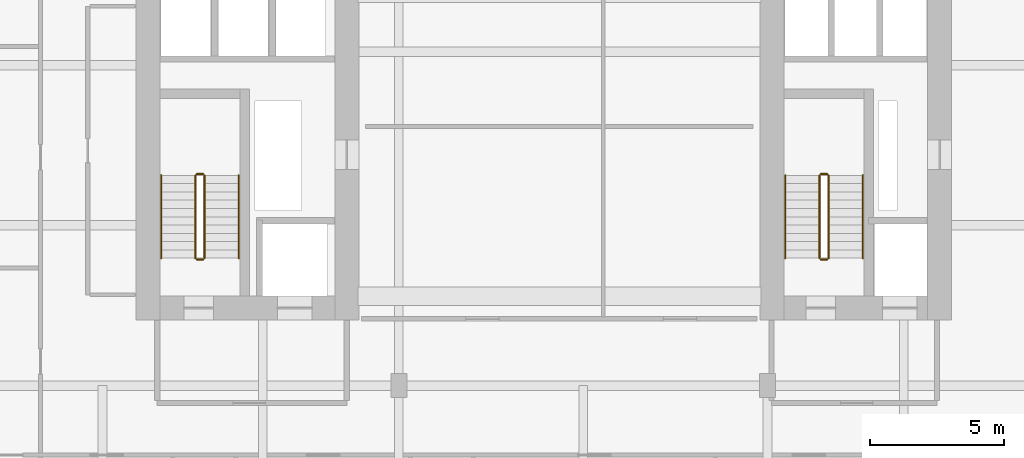
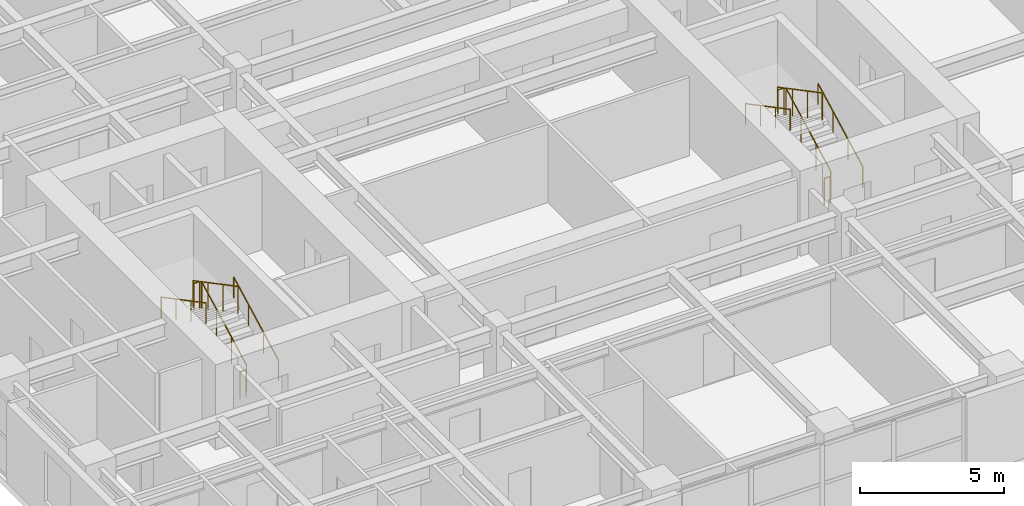
# One storey, part 24 of 24: 12 railings.
"""IFC4 building model written with IfcOpenShell, lengths in metres."""

import ifcopenshell
import ifcopenshell.guid

model = None  # the IFC model being written
_history = None  # IfcOwnerHistory: only IFC2X3 demands one
_inside = {}  # id of a spatial element -> (the spatial element, [elements in it])
_under = {}  # id of a project, library or spatial element -> (it, [spatial elements below it])
_declared = {}  # id of a project -> (the project, [libraries it declares])
_typed = {}  # id of a type object -> (the type object, [elements of that type])
_made_of = {}  # id of a material, layer set ... -> (it, [elements and type objects made of it])


def new_model(schema):
    """Start an empty IFC model of exactly this schema.

    Asked for "IFC4X3", IfcOpenShell would pick the latest addendum, in which some entities
    have other attributes; the version numbers below select the first issue.
    IFC2X3 requires an IfcOwnerHistory on every rooted entity: one is made here for all.
    """
    global model, _history
    if schema == "IFC4X3":
        model = ifcopenshell.file(schema_version=(4, 3, 0, 0))
    else:
        model = ifcopenshell.file(schema=schema)
    _inside.clear()
    _under.clear()
    _declared.clear()
    _typed.clear()
    _made_of.clear()
    _history = None
    if model.schema == "IFC2X3":
        org = make("IfcOrganization", Name="unknown")
        user = make(
            "IfcPersonAndOrganization",
            ThePerson=make("IfcPerson", FamilyName="unknown"),
            TheOrganization=org,
        )
        app = make(
            "IfcApplication",
            ApplicationDeveloper=org,
            Version="unknown",
            ApplicationFullName="unknown",
            ApplicationIdentifier="unknown",
        )
        _history = make(
            "IfcOwnerHistory",
            OwningUser=user,
            OwningApplication=app,
            ChangeAction="ADDED",
            CreationDate=0,
        )
    return model


def make(cls, **values):
    """One entity of the class cls with the attributes given. An attribute that is None is left unset."""
    return model.create_entity(
        cls, **{name: value for name, value in values.items() if value is not None}
    )


def rooted(cls, **values):
    """An entity with a GlobalId (a new one), such as an element, a storey or a relation."""
    return make(cls, GlobalId=ifcopenshell.guid.new(), OwnerHistory=_history, **values)


def si_unit(unit_type, name, prefix=None):
    """IfcSIUnit, for example si_unit("LENGTHUNIT", "METRE", prefix="MILLI")."""
    return make("IfcSIUnit", UnitType=unit_type, Prefix=prefix, Name=name)


def assignment(units):
    """IfcUnitAssignment: the units of a project."""
    return None if units is None else make("IfcUnitAssignment", Units=units)


def point(xyz):
    """IfcCartesianPoint."""
    return None if xyz is None else make("IfcCartesianPoint", Coordinates=xyz)


def direction(xyz):
    """IfcDirection."""
    return None if xyz is None else make("IfcDirection", DirectionRatios=xyz)


def frame(location, z_axis=None, x_axis=None):
    """IfcAxis2Placement3D, a coordinate frame: its origin and axes. An axis left out is left unset."""
    return make(
        "IfcAxis2Placement3D",
        Location=point(location),
        Axis=direction(z_axis),
        RefDirection=direction(x_axis),
    )


def frame_2d(location, x_axis=None):
    """IfcAxis2Placement2D, a coordinate frame in the plane: its origin and x axis."""
    return make(
        "IfcAxis2Placement2D", Location=point(location), RefDirection=direction(x_axis)
    )


def origin():
    """The frame at (0, 0, 0) with its axes left unset."""
    return frame((0.0, 0.0, 0.0))


def origin_2d():
    """The frame at (0, 0) in the plane with its x axis left unset."""
    return frame_2d((0.0, 0.0))


def place(relative_to, where):
    """IfcLocalPlacement: puts the frame where relative to a parent placement (None: the world)."""
    return make(
        "IfcLocalPlacement", PlacementRelTo=relative_to, RelativePlacement=where
    )


def context(
    kind, dimensions, precision=None, world=None, true_north=None, identifier=None
):
    """IfcGeometricRepresentationContext, for example the 3D "Model" context."""
    return make(
        "IfcGeometricRepresentationContext",
        ContextIdentifier=identifier,
        ContextType=kind,
        CoordinateSpaceDimension=dimensions,
        Precision=precision,
        WorldCoordinateSystem=world,
        TrueNorth=true_north,
    )


def subcontext(parent, identifier, kind, view, scale=None):
    """IfcGeometricRepresentationSubContext, for example "Body" below "Model"."""
    return make(
        "IfcGeometricRepresentationSubContext",
        ContextIdentifier=identifier,
        ContextType=kind,
        ParentContext=parent,
        TargetScale=scale,
        TargetView=view,
    )


def project(units=None, contexts=None):
    """IfcProject with its units and contexts."""
    return rooted(
        "IfcProject",
        Name="project",
        RepresentationContexts=contexts,
        UnitsInContext=assignment(units),
    )


def spatial(cls, under=None, at=None, **own):
    """A site, building, storey or space (cls), placed at a placement, below another one or the project."""
    s = rooted(cls, ObjectPlacement=at, **own)
    if under is not None:
        _under.setdefault(under.id(), (under, []))[1].append(s)
    return s


def profile(cls, at=None, kind="AREA", **sizes):
    """A parametric profile (cls). Its sizes go by their IFC names, for example OverallWidth=200.0."""
    return make(cls, ProfileType=kind, Position=at, **sizes)


def circle(**sizes):
    """IfcCircleProfileDef."""
    return profile("IfcCircleProfileDef", **sizes)


def extrude(swept, where, along, depth):
    """IfcExtrudedAreaSolid: the profile swept, set in the frame where, extruded along a direction by depth."""
    return make(
        "IfcExtrudedAreaSolid",
        SweptArea=swept,
        Position=where,
        ExtrudedDirection=direction(along),
        Depth=depth,
    )


def shape(context_of_items, identifier, shape_type, items):
    """IfcShapeRepresentation: the items that make up one representation, for example the "Body"."""
    return make(
        "IfcShapeRepresentation",
        ContextOfItems=context_of_items,
        RepresentationIdentifier=identifier,
        RepresentationType=shape_type,
        Items=items,
    )


def material(Name=None, Category=None):
    """IfcMaterial."""
    return make("IfcMaterial", Name=Name, Category=Category)


def made_of(thing, what):
    """Note that an element or type object is made of a material, layer set ...; save() writes the relation."""
    if what is not None:
        _made_of.setdefault(what.id(), (what, []))[1].append(thing)
    return thing


def type_object(cls, material=None, **own):
    """A type object (cls), such as IfcWallType, which elements share."""
    return made_of(rooted(cls, **own), material)


def element(
    cls,
    number,
    at=None,
    inside=None,
    cuts=None,
    type_object=None,
    material=None,
    context=None,
    identifier="Body",
    shape_type=None,
    held_by="IfcProductDefinitionShape",
    body=None,
    shapes=None,
    **own,
):
    """One element of the class cls, such as IfcWall. Its Tag is "e" and its number.

    at: its placement. inside: the storey or other place that contains it. cuts: it is an
    opening in that element (IfcRelVoidsElement). A single representation is given by context,
    identifier, shape_type and body (its items); several are given by shapes. held_by: the class
    of the entity that holds the representations. save() writes the other relations.
    """
    e = rooted(cls, Tag="e%d" % number, ObjectPlacement=at, **own)
    if body is not None:
        shapes = [shape(context, identifier, shape_type, body)]
    if shapes is not None:
        e.Representation = make(held_by, Representations=shapes)
    if inside is not None:
        _inside.setdefault(inside.id(), (inside, []))[1].append(e)
    if cuts is not None:
        rooted(
            "IfcRelVoidsElement", RelatingBuildingElement=cuts, RelatedOpeningElement=e
        )
    if type_object is not None:
        _typed.setdefault(type_object.id(), (type_object, []))[1].append(e)
    return made_of(e, material)


def aggregate(whole, parts):
    """IfcRelAggregates: a whole, such as a stair, and the parts it consists of."""
    return rooted("IfcRelAggregates", RelatingObject=whole, RelatedObjects=parts)


def save(model, path):
    """Write the relations noted so far, then the file.

    IfcRelAggregates (storeys below a building ...), IfcRelContainedInSpatialStructure (elements
    in a storey), IfcRelDefinesByType, IfcRelAssociatesMaterial and IfcRelDeclares: one each for
    every whole, place, type object, material and project.
    """
    for whole, parts in _under.values():
        aggregate(whole, parts)
    for where, things in _inside.values():
        rooted(
            "IfcRelContainedInSpatialStructure",
            RelatedElements=things,
            RelatingStructure=where,
        )
    for kind, things in _typed.values():
        rooted("IfcRelDefinesByType", RelatedObjects=things, RelatingType=kind)
    for what, things in _made_of.values():
        rooted("IfcRelAssociatesMaterial", RelatedObjects=things, RelatingMaterial=what)
    for by, libraries in _declared.values():
        rooted("IfcRelDeclares", RelatingContext=by, RelatedDefinitions=libraries)
    model.write(path)


model = new_model("IFC4")

# Units and contexts
model_context = context("Model", 3, precision=1e-05, world=origin(), true_north=direction((0.0, 1.0)))
body_context = subcontext(model_context, "Body", "Model", "MODEL_VIEW")
ifc_project = project(units=[si_unit("LENGTHUNIT", "METRE"), si_unit("AREAUNIT", "SQUARE_METRE"), si_unit("VOLUMEUNIT", "CUBIC_METRE"), si_unit("PLANEANGLEUNIT", "RADIAN"), si_unit("MASSUNIT", "GRAM", prefix="KILO")], contexts=[model_context])

# Site, building, storey
site_placement = place(None, origin())
site = spatial("IfcSite", under=ifc_project, at=site_placement, CompositionType="ELEMENT")
building_placement = place(site_placement, origin())
building = spatial("IfcBuilding", under=site, at=building_placement, Name="Khoralis Quay Care Tower", CompositionType="ELEMENT")
storey_placement = place(building_placement, frame((0.0, 0.0, 62.10009765625)))
storey = spatial("IfcBuildingStorey", under=building, at=storey_placement, Name="L16", CompositionType="ELEMENT", Elevation=62.10009765625)

# Railings
ifc_material = material(Name="Brushed stainless steel", Category="steel")
railing_type_1 = type_object("IfcRailingType", Name="RL-GUARD-1150", PredefinedType="GUARDRAIL", material=ifc_material)
railing_1_placement = place(storey_placement, frame((9.820068359375, 16.77001953125, 0.16357421875)))
element("IfcRailing", 1, at=railing_1_placement, inside=storey, type_object=railing_type_1, Name="L16 ST-T1 stair guard 1", PredefinedType="GUARDRAIL", context=body_context, shape_type="SweptSolid", body=[
    extrude(circle(Radius=0.02392578125, at=origin_2d()), frame((0.0, 0.0, 1.1259765625), z_axis=(0.0, 0.884376766648, 0.46677375099), x_axis=(-1.0, 0.0, 0.0)), (0.0, 0.0, 1.0), 3.50537109375),
    extrude(circle(Radius=0.02099609375, at=origin_2d()), origin(), (0.0, 0.0, 1.0), 1.101806640625),
    extrude(circle(Radius=0.02099609375, at=origin_2d()), frame((0.0, 1.033447265625, 0.54541015625)), (0.0, 0.0, 1.0), 1.101806640625),
    extrude(circle(Radius=0.02099609375, at=origin_2d()), frame((0.0, 2.066650390625, 1.0908203125)), (0.0, 0.0, 1.0), 1.101806640625),
    extrude(circle(Radius=0.02099609375, at=origin_2d()), frame((0.0, 3.10009765625, 1.63623046875)), (0.0, 0.0, 1.0), 1.101806640625),
])
railing_2_placement = place(storey_placement, frame((9.77001953125, 19.919921875, 1.7998046875)))
element("IfcRailing", 2, at=railing_2_placement, inside=storey, type_object=railing_type_1, Name="L16 ST-T1 stair guard 2", PredefinedType="GUARDRAIL", context=body_context, shape_type="SweptSolid", body=[
    extrude(circle(Radius=0.02392578125, at=origin_2d()), frame((0.0, 0.0, 1.1259765625), z_axis=(-1.0, 0.0, 0.0), x_axis=(0.0, -1.0, 0.0)), (0.0, 0.0, 1.0), 0.239990234375),
    extrude(circle(Radius=0.02099609375, at=origin_2d()), origin(), (0.0, 0.0, 1.0), 1.101806640625),
    extrude(circle(Radius=0.02099609375, at=origin_2d()), frame((-0.239990234375, 0.0, 0.0)), (0.0, 0.0, 1.0), 1.101806640625),
])
railing_3_placement = place(storey_placement, frame((9.47998046875, 19.8701171875, 1.963623046875)))
element("IfcRailing", 3, at=railing_3_placement, inside=storey, type_object=railing_type_1, Name="L16 ST-T1 stair guard 3", PredefinedType="GUARDRAIL", context=body_context, shape_type="SweptSolid", body=[
    extrude(circle(Radius=0.02392578125, at=origin_2d()), frame((0.0, 0.0, 1.1259765625), z_axis=(0.0, -0.884376766648, 0.46677375099), x_axis=(1.0, 0.0, 0.0)), (0.0, 0.0, 1.0), 3.50537109375),
    extrude(circle(Radius=0.02099609375, at=origin_2d()), origin(), (0.0, 0.0, 1.0), 1.101806640625),
    extrude(circle(Radius=0.02099609375, at=origin_2d()), frame((0.0, -1.033447265625, 0.54541015625)), (0.0, 0.0, 1.0), 1.101806640625),
    extrude(circle(Radius=0.02099609375, at=origin_2d()), frame((0.0, -2.066650390625, 1.0908203125)), (0.0, 0.0, 1.0), 1.101806640625),
    extrude(circle(Radius=0.02099609375, at=origin_2d()), frame((0.0, -3.10009765625, 1.63623046875)), (0.0, 0.0, 1.0), 1.101806640625),
])
railing_4_placement = place(storey_placement, frame((9.77001953125, 16.719970703125, 0.0)))
element("IfcRailing", 4, at=railing_4_placement, inside=storey, type_object=railing_type_1, Name="L16 ST-T1 stair guard 4", PredefinedType="GUARDRAIL", context=body_context, shape_type="SweptSolid", body=[
    extrude(circle(Radius=0.02392578125, at=origin_2d()), frame((0.0, 0.0, 1.1259765625), z_axis=(-1.0, 0.0, 0.0), x_axis=(0.0, -1.0, 0.0)), (0.0, 0.0, 1.0), 0.239990234375),
    extrude(circle(Radius=0.02099609375, at=origin_2d()), origin(), (0.0, 0.0, 1.0), 1.101806640625),
    extrude(circle(Radius=0.02099609375, at=origin_2d()), frame((-0.239990234375, 0.0, 0.0)), (0.0, 0.0, 1.0), 1.101806640625),
])
railing_5_placement = place(storey_placement, frame((33.18994140625, 16.77001953125, 0.16357421875)))
element("IfcRailing", 5, at=railing_5_placement, inside=storey, type_object=railing_type_1, Name="L16 ST-T2 stair guard 1", PredefinedType="GUARDRAIL", context=body_context, shape_type="SweptSolid", body=[
    extrude(circle(Radius=0.02392578125, at=origin_2d()), frame((0.0, 0.0, 1.1259765625), z_axis=(0.0, 0.884376766648, 0.46677375099), x_axis=(-1.0, 0.0, 0.0)), (0.0, 0.0, 1.0), 3.50537109375),
    extrude(circle(Radius=0.02099609375, at=origin_2d()), origin(), (0.0, 0.0, 1.0), 1.101806640625),
    extrude(circle(Radius=0.02099609375, at=origin_2d()), frame((0.0, 1.033447265625, 0.54541015625)), (0.0, 0.0, 1.0), 1.101806640625),
    extrude(circle(Radius=0.02099609375, at=origin_2d()), frame((0.0, 2.066650390625, 1.0908203125)), (0.0, 0.0, 1.0), 1.101806640625),
    extrude(circle(Radius=0.02099609375, at=origin_2d()), frame((0.0, 3.10009765625, 1.63623046875)), (0.0, 0.0, 1.0), 1.101806640625),
])
railing_6_placement = place(storey_placement, frame((33.139892578125, 19.919921875, 1.7998046875)))
element("IfcRailing", 6, at=railing_6_placement, inside=storey, type_object=railing_type_1, Name="L16 ST-T2 stair guard 2", PredefinedType="GUARDRAIL", context=body_context, shape_type="SweptSolid", body=[
    extrude(circle(Radius=0.02392578125, at=origin_2d()), frame((0.0, 0.0, 1.1259765625), z_axis=(-1.0, 0.0, 0.0), x_axis=(0.0, -1.0, 0.0)), (0.0, 0.0, 1.0), 0.239990234375),
    extrude(circle(Radius=0.02099609375, at=origin_2d()), origin(), (0.0, 0.0, 1.0), 1.101806640625),
    extrude(circle(Radius=0.02099609375, at=origin_2d()), frame((-0.239990234375, 0.0, 0.0)), (0.0, 0.0, 1.0), 1.101806640625),
])
railing_7_placement = place(storey_placement, frame((32.85009765625, 19.8701171875, 1.963623046875)))
element("IfcRailing", 7, at=railing_7_placement, inside=storey, type_object=railing_type_1, Name="L16 ST-T2 stair guard 3", PredefinedType="GUARDRAIL", context=body_context, shape_type="SweptSolid", body=[
    extrude(circle(Radius=0.02392578125, at=origin_2d()), frame((0.0, 0.0, 1.1259765625), z_axis=(0.0, -0.884376766648, 0.46677375099), x_axis=(1.0, 0.0, 0.0)), (0.0, 0.0, 1.0), 3.50537109375),
    extrude(circle(Radius=0.02099609375, at=origin_2d()), origin(), (0.0, 0.0, 1.0), 1.101806640625),
    extrude(circle(Radius=0.02099609375, at=origin_2d()), frame((0.0, -1.033447265625, 0.54541015625)), (0.0, 0.0, 1.0), 1.101806640625),
    extrude(circle(Radius=0.02099609375, at=origin_2d()), frame((0.0, -2.066650390625, 1.0908203125)), (0.0, 0.0, 1.0), 1.101806640625),
    extrude(circle(Radius=0.02099609375, at=origin_2d()), frame((0.0, -3.10009765625, 1.63623046875)), (0.0, 0.0, 1.0), 1.101806640625),
])
railing_8_placement = place(storey_placement, frame((33.139892578125, 16.719970703125, 0.0)))
element("IfcRailing", 8, at=railing_8_placement, inside=storey, type_object=railing_type_1, Name="L16 ST-T2 stair guard 4", PredefinedType="GUARDRAIL", context=body_context, shape_type="SweptSolid", body=[
    extrude(circle(Radius=0.02392578125, at=origin_2d()), frame((0.0, 0.0, 1.1259765625), z_axis=(-1.0, 0.0, 0.0), x_axis=(0.0, -1.0, 0.0)), (0.0, 0.0, 1.0), 0.239990234375),
    extrude(circle(Radius=0.02099609375, at=origin_2d()), origin(), (0.0, 0.0, 1.0), 1.101806640625),
    extrude(circle(Radius=0.02099609375, at=origin_2d()), frame((-0.239990234375, 0.0, 0.0)), (0.0, 0.0, 1.0), 1.101806640625),
])
railing_type_2 = type_object("IfcRailingType", Name="RL-HAND-900", PredefinedType="HANDRAIL", material=ifc_material)
railing_9_placement = place(storey_placement, frame((11.10009765625, 16.77001953125, 0.16357421875)))
element("IfcRailing", 9, at=railing_9_placement, inside=storey, type_object=railing_type_2, Name="L16 ST-T1 stair handrail 1", PredefinedType="HANDRAIL", context=body_context, shape_type="SweptSolid", body=[
    extrude(circle(Radius=0.02392578125, at=origin_2d()), frame((0.0, 0.0, 0.8759765625), z_axis=(0.0, 0.884376766648, 0.46677375099), x_axis=(-1.0, 0.0, 0.0)), (0.0, 0.0, 1.0), 3.50537109375),
    extrude(circle(Radius=0.02099609375, at=origin_2d()), origin(), (0.0, 0.0, 1.0), 0.851806640625),
    extrude(circle(Radius=0.02099609375, at=origin_2d()), frame((0.0, 1.033447265625, 0.54541015625)), (0.0, 0.0, 1.0), 0.851806640625),
    extrude(circle(Radius=0.02099609375, at=origin_2d()), frame((0.0, 2.066650390625, 1.0908203125)), (0.0, 0.0, 1.0), 0.851806640625),
    extrude(circle(Radius=0.02099609375, at=origin_2d()), frame((0.0, 3.10009765625, 1.63623046875)), (0.0, 0.0, 1.0), 0.851806640625),
])
railing_10_placement = place(storey_placement, frame((8.199951171875, 19.8701171875, 1.963623046875)))
element("IfcRailing", 10, at=railing_10_placement, inside=storey, type_object=railing_type_2, Name="L16 ST-T1 stair handrail 2", PredefinedType="HANDRAIL", context=body_context, shape_type="SweptSolid", body=[
    extrude(circle(Radius=0.02392578125, at=origin_2d()), frame((0.0, 0.0, 0.8759765625), z_axis=(0.0, -0.884376766648, 0.46677375099), x_axis=(1.0, 0.0, 0.0)), (0.0, 0.0, 1.0), 3.50537109375),
    extrude(circle(Radius=0.02099609375, at=origin_2d()), origin(), (0.0, 0.0, 1.0), 0.851806640625),
    extrude(circle(Radius=0.02099609375, at=origin_2d()), frame((0.0, -1.033447265625, 0.54541015625)), (0.0, 0.0, 1.0), 0.851806640625),
    extrude(circle(Radius=0.02099609375, at=origin_2d()), frame((0.0, -2.066650390625, 1.0908203125)), (0.0, 0.0, 1.0), 0.851806640625),
    extrude(circle(Radius=0.02099609375, at=origin_2d()), frame((0.0, -3.10009765625, 1.63623046875)), (0.0, 0.0, 1.0), 0.851806640625),
])
railing_11_placement = place(storey_placement, frame((34.469970703125, 16.77001953125, 0.16357421875)))
element("IfcRailing", 11, at=railing_11_placement, inside=storey, type_object=railing_type_2, Name="L16 ST-T2 stair handrail 1", PredefinedType="HANDRAIL", context=body_context, shape_type="SweptSolid", body=[
    extrude(circle(Radius=0.02392578125, at=origin_2d()), frame((0.0, 0.0, 0.8759765625), z_axis=(0.0, 0.884376766648, 0.46677375099), x_axis=(-1.0, 0.0, 0.0)), (0.0, 0.0, 1.0), 3.50537109375),
    extrude(circle(Radius=0.02099609375, at=origin_2d()), origin(), (0.0, 0.0, 1.0), 0.851806640625),
    extrude(circle(Radius=0.02099609375, at=origin_2d()), frame((0.0, 1.033447265625, 0.54541015625)), (0.0, 0.0, 1.0), 0.851806640625),
    extrude(circle(Radius=0.02099609375, at=origin_2d()), frame((0.0, 2.066650390625, 1.0908203125)), (0.0, 0.0, 1.0), 0.851806640625),
    extrude(circle(Radius=0.02099609375, at=origin_2d()), frame((0.0, 3.10009765625, 1.63623046875)), (0.0, 0.0, 1.0), 0.851806640625),
])
railing_12_placement = place(storey_placement, frame((31.570068359375, 19.8701171875, 1.963623046875)))
element("IfcRailing", 12, at=railing_12_placement, inside=storey, type_object=railing_type_2, Name="L16 ST-T2 stair handrail 2", PredefinedType="HANDRAIL", context=body_context, shape_type="SweptSolid", body=[
    extrude(circle(Radius=0.02392578125, at=origin_2d()), frame((0.0, 0.0, 0.8759765625), z_axis=(0.0, -0.884376766648, 0.46677375099), x_axis=(1.0, 0.0, 0.0)), (0.0, 0.0, 1.0), 3.50537109375),
    extrude(circle(Radius=0.02099609375, at=origin_2d()), origin(), (0.0, 0.0, 1.0), 0.851806640625),
    extrude(circle(Radius=0.02099609375, at=origin_2d()), frame((0.0, -1.033447265625, 0.54541015625)), (0.0, 0.0, 1.0), 0.851806640625),
    extrude(circle(Radius=0.02099609375, at=origin_2d()), frame((0.0, -2.066650390625, 1.0908203125)), (0.0, 0.0, 1.0), 0.851806640625),
    extrude(circle(Radius=0.02099609375, at=origin_2d()), frame((0.0, -3.10009765625, 1.63623046875)), (0.0, 0.0, 1.0), 0.851806640625),
])

save(model, "model.ifc")
